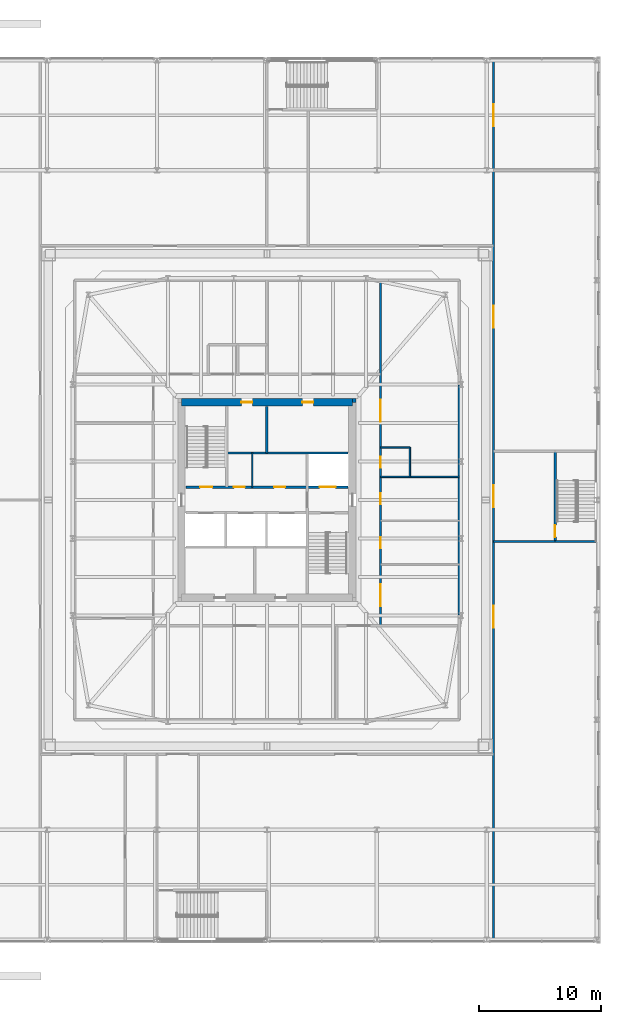
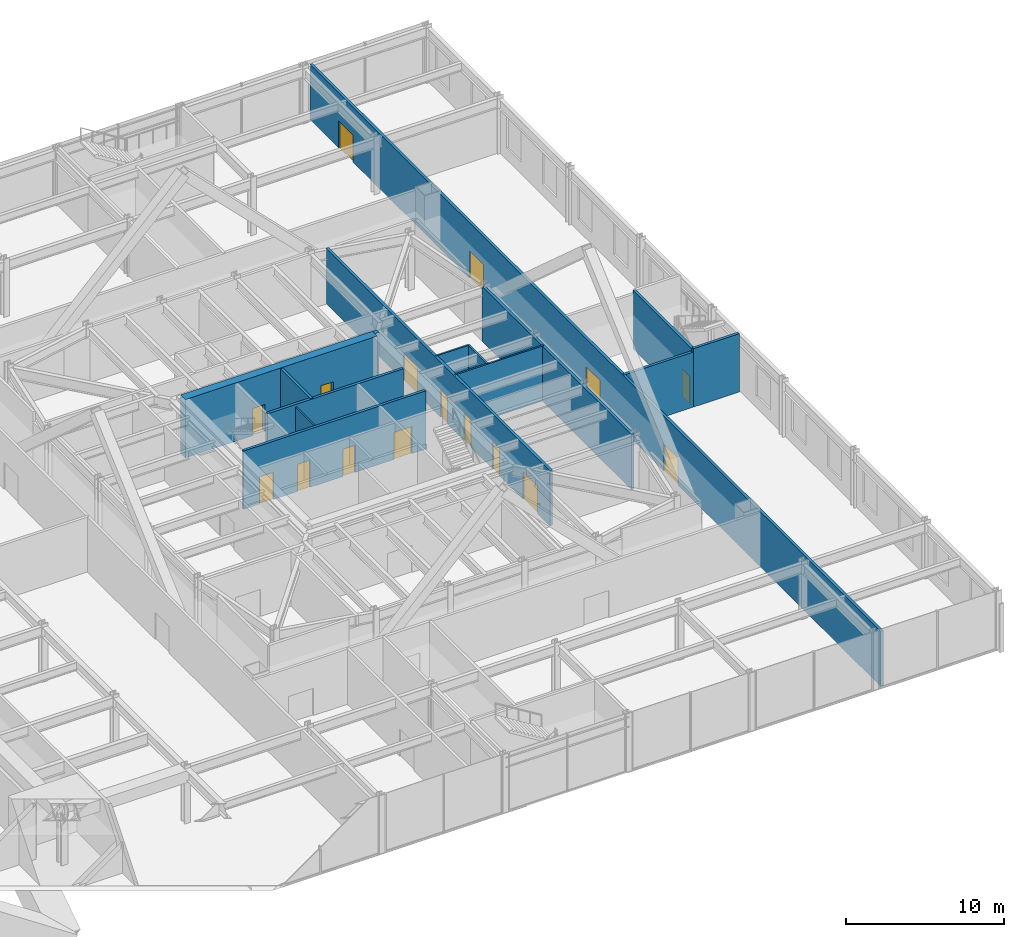
# One storey, part 26 of 32: 16 doors, 15 walls, 16 openings.
"""IFC4 building model written with IfcOpenShell, lengths in metres."""

import ifcopenshell
import ifcopenshell.guid

model = None  # the IFC model being written
_history = None  # IfcOwnerHistory: only IFC2X3 demands one
_inside = {}  # id of a spatial element -> (the spatial element, [elements in it])
_under = {}  # id of a project, library or spatial element -> (it, [spatial elements below it])
_declared = {}  # id of a project -> (the project, [libraries it declares])
_typed = {}  # id of a type object -> (the type object, [elements of that type])
_made_of = {}  # id of a material, layer set ... -> (it, [elements and type objects made of it])


def new_model(schema):
    """Start an empty IFC model of exactly this schema.

    Asked for "IFC4X3", IfcOpenShell would pick the latest addendum, in which some entities
    have other attributes; the version numbers below select the first issue.
    IFC2X3 requires an IfcOwnerHistory on every rooted entity: one is made here for all.
    """
    global model, _history
    if schema == "IFC4X3":
        model = ifcopenshell.file(schema_version=(4, 3, 0, 0))
    else:
        model = ifcopenshell.file(schema=schema)
    _inside.clear()
    _under.clear()
    _declared.clear()
    _typed.clear()
    _made_of.clear()
    _history = None
    if model.schema == "IFC2X3":
        org = make("IfcOrganization", Name="unknown")
        user = make(
            "IfcPersonAndOrganization",
            ThePerson=make("IfcPerson", FamilyName="unknown"),
            TheOrganization=org,
        )
        app = make(
            "IfcApplication",
            ApplicationDeveloper=org,
            Version="unknown",
            ApplicationFullName="unknown",
            ApplicationIdentifier="unknown",
        )
        _history = make(
            "IfcOwnerHistory",
            OwningUser=user,
            OwningApplication=app,
            ChangeAction="ADDED",
            CreationDate=0,
        )
    return model


def make(cls, **values):
    """One entity of the class cls with the attributes given. An attribute that is None is left unset."""
    return model.create_entity(
        cls, **{name: value for name, value in values.items() if value is not None}
    )


def rooted(cls, **values):
    """An entity with a GlobalId (a new one), such as an element, a storey or a relation."""
    return make(cls, GlobalId=ifcopenshell.guid.new(), OwnerHistory=_history, **values)


def si_unit(unit_type, name, prefix=None):
    """IfcSIUnit, for example si_unit("LENGTHUNIT", "METRE", prefix="MILLI")."""
    return make("IfcSIUnit", UnitType=unit_type, Prefix=prefix, Name=name)


def assignment(units):
    """IfcUnitAssignment: the units of a project."""
    return None if units is None else make("IfcUnitAssignment", Units=units)


def point(xyz):
    """IfcCartesianPoint."""
    return None if xyz is None else make("IfcCartesianPoint", Coordinates=xyz)


def direction(xyz):
    """IfcDirection."""
    return None if xyz is None else make("IfcDirection", DirectionRatios=xyz)


def frame(location, z_axis=None, x_axis=None):
    """IfcAxis2Placement3D, a coordinate frame: its origin and axes. An axis left out is left unset."""
    return make(
        "IfcAxis2Placement3D",
        Location=point(location),
        Axis=direction(z_axis),
        RefDirection=direction(x_axis),
    )


def frame_2d(location, x_axis=None):
    """IfcAxis2Placement2D, a coordinate frame in the plane: its origin and x axis."""
    return make(
        "IfcAxis2Placement2D", Location=point(location), RefDirection=direction(x_axis)
    )


def origin():
    """The frame at (0, 0, 0) with its axes left unset."""
    return frame((0.0, 0.0, 0.0))


def place(relative_to, where):
    """IfcLocalPlacement: puts the frame where relative to a parent placement (None: the world)."""
    return make(
        "IfcLocalPlacement", PlacementRelTo=relative_to, RelativePlacement=where
    )


def context(
    kind, dimensions, precision=None, world=None, true_north=None, identifier=None
):
    """IfcGeometricRepresentationContext, for example the 3D "Model" context."""
    return make(
        "IfcGeometricRepresentationContext",
        ContextIdentifier=identifier,
        ContextType=kind,
        CoordinateSpaceDimension=dimensions,
        Precision=precision,
        WorldCoordinateSystem=world,
        TrueNorth=true_north,
    )


def subcontext(parent, identifier, kind, view, scale=None):
    """IfcGeometricRepresentationSubContext, for example "Body" below "Model"."""
    return make(
        "IfcGeometricRepresentationSubContext",
        ContextIdentifier=identifier,
        ContextType=kind,
        ParentContext=parent,
        TargetScale=scale,
        TargetView=view,
    )


def project(units=None, contexts=None):
    """IfcProject with its units and contexts."""
    return rooted(
        "IfcProject",
        Name="project",
        RepresentationContexts=contexts,
        UnitsInContext=assignment(units),
    )


def spatial(cls, under=None, at=None, **own):
    """A site, building, storey or space (cls), placed at a placement, below another one or the project."""
    s = rooted(cls, ObjectPlacement=at, **own)
    if under is not None:
        _under.setdefault(under.id(), (under, []))[1].append(s)
    return s


def profile(cls, at=None, kind="AREA", **sizes):
    """A parametric profile (cls). Its sizes go by their IFC names, for example OverallWidth=200.0."""
    return make(cls, ProfileType=kind, Position=at, **sizes)


def rectangle(**sizes):
    """IfcRectangleProfileDef."""
    return profile("IfcRectangleProfileDef", **sizes)


def extrude(swept, where, along, depth):
    """IfcExtrudedAreaSolid: the profile swept, set in the frame where, extruded along a direction by depth."""
    return make(
        "IfcExtrudedAreaSolid",
        SweptArea=swept,
        Position=where,
        ExtrudedDirection=direction(along),
        Depth=depth,
    )


def shape(context_of_items, identifier, shape_type, items):
    """IfcShapeRepresentation: the items that make up one representation, for example the "Body"."""
    return make(
        "IfcShapeRepresentation",
        ContextOfItems=context_of_items,
        RepresentationIdentifier=identifier,
        RepresentationType=shape_type,
        Items=items,
    )


def material(Name=None, Category=None):
    """IfcMaterial."""
    return make("IfcMaterial", Name=Name, Category=Category)


def layer(
    of_material, thickness, ventilated=None, Name=None, Category=None, Priority=None
):
    """IfcMaterialLayer: one layer of a wall or slab, of a material (None: an air gap)."""
    return make(
        "IfcMaterialLayer",
        Material=of_material,
        LayerThickness=thickness,
        IsVentilated=ventilated,
        Name=Name,
        Category=Category,
        Priority=Priority,
    )


def layer_set(layers, Name=None):
    """IfcMaterialLayerSet."""
    return make("IfcMaterialLayerSet", MaterialLayers=layers, LayerSetName=Name)


def made_of(thing, what):
    """Note that an element or type object is made of a material, layer set ...; save() writes the relation."""
    if what is not None:
        _made_of.setdefault(what.id(), (what, []))[1].append(thing)
    return thing


def type_object(cls, material=None, **own):
    """A type object (cls), such as IfcWallType, which elements share."""
    return made_of(rooted(cls, **own), material)


def element(
    cls,
    number,
    at=None,
    inside=None,
    cuts=None,
    type_object=None,
    material=None,
    context=None,
    identifier="Body",
    shape_type=None,
    held_by="IfcProductDefinitionShape",
    body=None,
    shapes=None,
    **own,
):
    """One element of the class cls, such as IfcWall. Its Tag is "e" and its number.

    at: its placement. inside: the storey or other place that contains it. cuts: it is an
    opening in that element (IfcRelVoidsElement). A single representation is given by context,
    identifier, shape_type and body (its items); several are given by shapes. held_by: the class
    of the entity that holds the representations. save() writes the other relations.
    """
    e = rooted(cls, Tag="e%d" % number, ObjectPlacement=at, **own)
    if body is not None:
        shapes = [shape(context, identifier, shape_type, body)]
    if shapes is not None:
        e.Representation = make(held_by, Representations=shapes)
    if inside is not None:
        _inside.setdefault(inside.id(), (inside, []))[1].append(e)
    if cuts is not None:
        rooted(
            "IfcRelVoidsElement", RelatingBuildingElement=cuts, RelatedOpeningElement=e
        )
    if type_object is not None:
        _typed.setdefault(type_object.id(), (type_object, []))[1].append(e)
    return made_of(e, material)


def fill(opening, filler):
    """IfcRelFillsElement: the door or window that sits in an opening."""
    return rooted(
        "IfcRelFillsElement",
        RelatingOpeningElement=opening,
        RelatedBuildingElement=filler,
    )


def aggregate(whole, parts):
    """IfcRelAggregates: a whole, such as a stair, and the parts it consists of."""
    return rooted("IfcRelAggregates", RelatingObject=whole, RelatedObjects=parts)


def save(model, path):
    """Write the relations noted so far, then the file.

    IfcRelAggregates (storeys below a building ...), IfcRelContainedInSpatialStructure (elements
    in a storey), IfcRelDefinesByType, IfcRelAssociatesMaterial and IfcRelDeclares: one each for
    every whole, place, type object, material and project.
    """
    for whole, parts in _under.values():
        aggregate(whole, parts)
    for where, things in _inside.values():
        rooted(
            "IfcRelContainedInSpatialStructure",
            RelatedElements=things,
            RelatingStructure=where,
        )
    for kind, things in _typed.values():
        rooted("IfcRelDefinesByType", RelatedObjects=things, RelatingType=kind)
    for what, things in _made_of.values():
        rooted("IfcRelAssociatesMaterial", RelatedObjects=things, RelatingMaterial=what)
    for by, libraries in _declared.values():
        rooted("IfcRelDeclares", RelatingContext=by, RelatedDefinitions=libraries)
    model.write(path)


model = new_model("IFC4")

# Units and contexts
model_context = context("Model", 3, precision=1e-05, world=origin(), true_north=direction((0.0, 1.0)))
body_context = subcontext(model_context, "Body", "Model", "MODEL_VIEW")
ifc_project = project(units=[si_unit("LENGTHUNIT", "METRE"), si_unit("AREAUNIT", "SQUARE_METRE"), si_unit("VOLUMEUNIT", "CUBIC_METRE"), si_unit("PLANEANGLEUNIT", "RADIAN"), si_unit("MASSUNIT", "GRAM", prefix="KILO")], contexts=[model_context])

# Site, building, storey
site_placement = place(None, origin())
site = spatial("IfcSite", under=ifc_project, at=site_placement, CompositionType="ELEMENT")
building_placement = place(site_placement, origin())
building = spatial("IfcBuilding", under=site, at=building_placement, Name="Iwan Alto Co-Living Towers", CompositionType="ELEMENT")
storey_placement = place(building_placement, frame((0.0, 0.0, 6.0)))
storey = spatial("IfcBuildingStorey", under=building, at=storey_placement, Name="L01", CompositionType="ELEMENT", Elevation=6.0)

# Walls
ifc_material_1 = material(Name="Gypsum board")
ifc_layer_1 = layer(ifc_material_1, 0.012451171875, Name="Board", Category="Finish")
ifc_material_2 = material(Name="Steel ASTM A1003 ST33H cold-formed studs", Category="steel")
ifc_layer_2 = layer(ifc_material_2, 0.074951171875, Name="Studs", Category="Framing")
ifc_layer_3 = layer(ifc_material_1, 0.012451171875, Name="Board", Category="Finish")
ifc_layer_set_1 = layer_set([ifc_layer_1, ifc_layer_2, ifc_layer_3], Name="PARTITION 100")
wall_type_1 = type_object("IfcWallType", Name="PARTITION 100", PredefinedType="PARTITIONING", material=ifc_layer_set_1)
wall_1_placement = place(storey_placement, frame((61.800048828125, 1.050048828125, 0.0), z_axis=(0.0, 0.0, 1.0), x_axis=(0.0, 1.0, 0.0)))
element("IfcWall", 1, at=wall_1_placement, inside=storey, type_object=wall_type_1, Name="Partition L01", PredefinedType="PARTITIONING", context=body_context, shape_type="SweptSolid", body=[
    extrude(rectangle(XDim=2.800048828125, YDim=0.10009765625, at=frame_2d((1.39990234375, 0.0))), origin(), (0.0, 0.0, 1.0), 4.300048828125),
])
ifc_material_3 = material(Name="Concrete block masonry f*p 10 MPa", Category="masonry")
ifc_layer_4 = layer(ifc_material_3, 0.199951171875)
ifc_layer_set_2 = layer_set([ifc_layer_4], Name="PODIUM INTERNAL WALL 200")
wall_type_2 = type_object("IfcWallType", Name="PODIUM INTERNAL WALL 200", PredefinedType="SOLIDWALL", material=ifc_layer_set_2)
wall_2_placement = place(storey_placement, frame((81.550048828125, -3.39990234375, 0.0), z_axis=(0.0, 0.0, 1.0), x_axis=(1.0, 0.0, 0.0)))
element("IfcWall", 2, at=wall_2_placement, inside=storey, type_object=wall_type_2, Name="Partition L01", PredefinedType="SOLIDWALL", context=body_context, shape_type="SweptSolid", body=[
    extrude(rectangle(XDim=5.050048828125, YDim=0.199951171875, at=frame_2d((2.52490234375, 0.0))), origin(), (0.0, 0.0, 1.0), 4.25),
])

# Wall, openings, doors
wall_3_placement = place(storey_placement, frame((81.550048828125, -36.050048828125, 0.0), z_axis=(0.0, 0.0, 1.0), x_axis=(0.0, 1.0, 0.0)))
wall_3 = element("IfcWall", 3, at=wall_3_placement, inside=storey, type_object=wall_type_2, Name="Partition L01", PredefinedType="SOLIDWALL", context=body_context, shape_type="SweptSolid", body=[
    extrude(rectangle(XDim=72.10009765625, YDim=0.199951171875, at=frame_2d((36.050048828125, 0.0))), origin(), (0.0, 0.0, 1.0), 4.25),
])
opening_1_placement = place(wall_3_placement, frame((66.64990234375, 0.0, 0.0)))
opening_1 = element("IfcOpeningElement", 4, at=opening_1_placement, cuts=wall_3, Name="Opening D9", PredefinedType="OPENING", context=body_context, shape_type="SweptSolid", body=[
    extrude(rectangle(XDim=1.800048828125, YDim=2.10009765625, at=frame_2d((0.89990234375, 1.050048828125))), frame((0.0, 0.10986328125, 0.0), z_axis=(0.0, -1.0, 0.0), x_axis=(1.0, 0.0, 0.0)), (0.0, 0.0, 1.0), 0.219970703125),
])
opening_2_placement = place(wall_3_placement, frame((25.60009765625, 0.0, 0.0)))
opening_2 = element("IfcOpeningElement", 5, at=opening_2_placement, cuts=wall_3, Name="Opening D9", PredefinedType="OPENING", context=body_context, shape_type="SweptSolid", body=[
    extrude(rectangle(XDim=1.800048828125, YDim=2.10009765625, at=frame_2d((0.89990234375, 1.050048828125))), frame((0.0, 0.10986328125, 0.0), z_axis=(0.0, -1.0, 0.0), x_axis=(1.0, 0.0, 0.0)), (0.0, 0.0, 1.0), 0.219970703125),
])
opening_3_placement = place(wall_3_placement, frame((35.449951171875, 0.0, 0.0)))
opening_3 = element("IfcOpeningElement", 6, at=opening_3_placement, cuts=wall_3, Name="Opening D9", PredefinedType="OPENING", context=body_context, shape_type="SweptSolid", body=[
    extrude(rectangle(XDim=1.800048828125, YDim=2.10009765625, at=frame_2d((0.89990234375, 1.050048828125))), frame((0.0, 0.10986328125, 0.0), z_axis=(0.0, -1.0, 0.0), x_axis=(1.0, 0.0, 0.0)), (0.0, 0.0, 1.0), 0.219970703125),
])
opening_4_placement = place(wall_3_placement, frame((50.14990234375, 0.0, 0.0)))
opening_4 = element("IfcOpeningElement", 7, at=opening_4_placement, cuts=wall_3, Name="Opening D9", PredefinedType="OPENING", context=body_context, shape_type="SweptSolid", body=[
    extrude(rectangle(XDim=1.800048828125, YDim=2.10009765625, at=frame_2d((0.89990234375, 1.050048828125))), frame((0.0, 0.10986328125, 0.0), z_axis=(0.0, -1.0, 0.0), x_axis=(1.0, 0.0, 0.0)), (0.0, 0.0, 1.0), 0.219970703125),
])
ifc_material_4 = material(Name="Steel frame with timber leaf", Category="steel")
door_type_1 = type_object("IfcDoorType", Name="LOUNGE DOOR FD30S 1800X2100", OperationType="DOUBLE_DOOR_SINGLE_SWING", PredefinedType="DOOR", material=ifc_material_4)
door_1_placement = place(opening_1_placement, origin())
door_1 = element("IfcDoor", 8, at=door_1_placement, inside=storey, type_object=door_type_1, Name="Store door L01", OperationType="DOUBLE_DOOR_SINGLE_SWING", OverallHeight=2.10009765625, OverallWidth=1.800048828125, PredefinedType="DOOR", context=body_context, shape_type="SweptSolid", body=[
    extrude(rectangle(XDim=1.800048828125, YDim=2.10009765625, at=frame_2d((0.89990234375, 1.050048828125))), frame((0.0, 0.02490234375, 0.0), z_axis=(0.0, -1.0, 0.0), x_axis=(1.0, 0.0, 0.0)), (0.0, 0.0, 1.0), 0.050048828125),
])
fill(opening_1, door_1)
door_2_placement = place(opening_2_placement, frame((1.800048828125, 0.0, 0.0), z_axis=(0.0, 0.0, 1.0), x_axis=(-1.0, 0.0, 0.0)))
door_2 = element("IfcDoor", 9, at=door_2_placement, inside=storey, type_object=door_type_1, Name="Plant room door L01", OperationType="DOUBLE_DOOR_SINGLE_SWING", OverallHeight=2.10009765625, OverallWidth=1.800048828125, PredefinedType="DOOR", context=body_context, shape_type="SweptSolid", body=[
    extrude(rectangle(XDim=1.800048828125, YDim=2.10009765625, at=frame_2d((0.89990234375, 1.050048828125))), frame((0.0, 0.02490234375, 0.0), z_axis=(0.0, -1.0, 0.0), x_axis=(1.0, 0.0, 0.0)), (0.0, 0.0, 1.0), 0.050048828125),
])
fill(opening_2, door_2)
door_3_placement = place(opening_3_placement, frame((1.800048828125, 0.0, 0.0), z_axis=(0.0, 0.0, 1.0), x_axis=(-1.0, 0.0, 0.0)))
door_3 = element("IfcDoor", 10, at=door_3_placement, inside=storey, type_object=door_type_1, Name="Stair lobby door L01", OperationType="DOUBLE_DOOR_SINGLE_SWING", OverallHeight=2.10009765625, OverallWidth=1.800048828125, PredefinedType="DOOR", context=body_context, shape_type="SweptSolid", body=[
    extrude(rectangle(XDim=1.800048828125, YDim=2.10009765625, at=frame_2d((0.89990234375, 1.050048828125))), frame((0.0, 0.02490234375, 0.0), z_axis=(0.0, -1.0, 0.0), x_axis=(1.0, 0.0, 0.0)), (0.0, 0.0, 1.0), 0.050048828125),
])
fill(opening_3, door_3)
door_4_placement = place(opening_4_placement, frame((1.800048828125, 0.0, 0.0), z_axis=(0.0, 0.0, 1.0), x_axis=(-1.0, 0.0, 0.0)))
door_4 = element("IfcDoor", 11, at=door_4_placement, inside=storey, type_object=door_type_1, Name="Plant room door L01", OperationType="DOUBLE_DOOR_SINGLE_SWING", OverallHeight=2.10009765625, OverallWidth=1.800048828125, PredefinedType="DOOR", context=body_context, shape_type="SweptSolid", body=[
    extrude(rectangle(XDim=1.800048828125, YDim=2.10009765625, at=frame_2d((0.89990234375, 1.050048828125))), frame((0.0, 0.02490234375, 0.0), z_axis=(0.0, -1.0, 0.0), x_axis=(1.0, 0.0, 0.0)), (0.0, 0.0, 1.0), 0.050048828125),
])
fill(opening_4, door_4)

wall_4_placement = place(storey_placement, frame((72.300048828125, -10.300048828125, 0.0), z_axis=(0.0, 0.0, 1.0), x_axis=(0.0, 1.0, 0.0)))
wall_4 = element("IfcWall", 12, at=wall_4_placement, inside=storey, type_object=wall_type_2, Name="Partition L01", PredefinedType="SOLIDWALL", context=body_context, shape_type="SweptSolid", body=[
    extrude(rectangle(XDim=28.300048828125, YDim=0.199951171875, at=frame_2d((14.14990234375, 0.0))), origin(), (0.0, 0.0, 1.0), 4.25),
])
opening_5_placement = place(wall_4_placement, frame((1.60009765625, 0.0, 0.0)))
opening_5 = element("IfcOpeningElement", 13, at=opening_5_placement, cuts=wall_4, Name="Opening D9", PredefinedType="OPENING", context=body_context, shape_type="SweptSolid", body=[
    extrude(rectangle(XDim=1.800048828125, YDim=2.10009765625, at=frame_2d((0.89990234375, 1.050048828125))), frame((0.0, 0.10986328125, 0.0), z_axis=(0.0, -1.0, 0.0), x_axis=(1.0, 0.0, 0.0)), (0.0, 0.0, 1.0), 0.219970703125),
])
opening_6_placement = place(wall_4_placement, frame((6.35009765625, 0.0, 0.0)))
opening_6 = element("IfcOpeningElement", 14, at=opening_6_placement, cuts=wall_4, Name="Opening D4", PredefinedType="OPENING", context=body_context, shape_type="SweptSolid", body=[
    extrude(rectangle(XDim=0.89990234375, YDim=2.10009765625, at=frame_2d((0.449951171875, 1.050048828125))), frame((0.0, 0.10986328125, 0.0), z_axis=(0.0, -1.0, 0.0), x_axis=(1.0, 0.0, 0.0)), (0.0, 0.0, 1.0), 0.219970703125),
])
opening_7_placement = place(wall_4_placement, frame((9.949951171875, 0.0, 0.0)))
opening_7 = element("IfcOpeningElement", 15, at=opening_7_placement, cuts=wall_4, Name="Opening D4", PredefinedType="OPENING", context=body_context, shape_type="SweptSolid", body=[
    extrude(rectangle(XDim=0.89990234375, YDim=2.10009765625, at=frame_2d((0.449951171875, 1.050048828125))), frame((0.0, 0.10986328125, 0.0), z_axis=(0.0, -1.0, 0.0), x_axis=(1.0, 0.0, 0.0)), (0.0, 0.0, 1.0), 0.219970703125),
])
opening_8_placement = place(wall_4_placement, frame((12.949951171875, 0.0, 0.0)))
opening_8 = element("IfcOpeningElement", 16, at=opening_8_placement, cuts=wall_4, Name="Opening D4", PredefinedType="OPENING", context=body_context, shape_type="SweptSolid", body=[
    extrude(rectangle(XDim=0.89990234375, YDim=2.10009765625, at=frame_2d((0.449951171875, 1.050048828125))), frame((0.0, 0.10986328125, 0.0), z_axis=(0.0, -1.0, 0.0), x_axis=(1.0, 0.0, 0.0)), (0.0, 0.0, 1.0), 0.219970703125),
])
opening_9_placement = place(wall_4_placement, frame((16.699951171875, 0.0, 0.0)))
opening_9 = element("IfcOpeningElement", 17, at=opening_9_placement, cuts=wall_4, Name="Opening D9", PredefinedType="OPENING", context=body_context, shape_type="SweptSolid", body=[
    extrude(rectangle(XDim=1.800048828125, YDim=2.10009765625, at=frame_2d((0.89990234375, 1.050048828125))), frame((0.0, 0.10986328125, 0.0), z_axis=(0.0, -1.0, 0.0), x_axis=(1.0, 0.0, 0.0)), (0.0, 0.0, 1.0), 0.219970703125),
])
door_5_placement = place(opening_5_placement, frame((1.800048828125, 0.0, 0.0), z_axis=(0.0, 0.0, 1.0), x_axis=(-1.0, 0.0, 0.0)))
door_5 = element("IfcDoor", 18, at=door_5_placement, inside=storey, type_object=door_type_1, Name="Tea point door L01", OperationType="DOUBLE_DOOR_SINGLE_SWING", OverallHeight=2.10009765625, OverallWidth=1.800048828125, PredefinedType="DOOR", context=body_context, shape_type="SweptSolid", body=[
    extrude(rectangle(XDim=1.800048828125, YDim=2.10009765625, at=frame_2d((0.89990234375, 1.050048828125))), frame((0.0, 0.02490234375, 0.0), z_axis=(0.0, -1.0, 0.0), x_axis=(1.0, 0.0, 0.0)), (0.0, 0.0, 1.0), 0.050048828125),
])
fill(opening_5, door_5)
door_6_placement = place(opening_9_placement, frame((1.800048828125, 0.0, 0.0), z_axis=(0.0, 0.0, 1.0), x_axis=(-1.0, 0.0, 0.0)))
door_6 = element("IfcDoor", 19, at=door_6_placement, inside=storey, type_object=door_type_1, Name="Co-working zone door L01", OperationType="DOUBLE_DOOR_SINGLE_SWING", OverallHeight=2.10009765625, OverallWidth=1.800048828125, PredefinedType="DOOR", context=body_context, shape_type="SweptSolid", body=[
    extrude(rectangle(XDim=1.800048828125, YDim=2.10009765625, at=frame_2d((0.89990234375, 1.050048828125))), frame((0.0, 0.02490234375, 0.0), z_axis=(0.0, -1.0, 0.0), x_axis=(1.0, 0.0, 0.0)), (0.0, 0.0, 1.0), 0.050048828125),
])
fill(opening_9, door_6)
ifc_material_5 = material(Name="Timber leaf in steel frame", Category="steel")
door_type_2 = type_object("IfcDoorType", Name="WC DOOR 900X2100", OperationType="SINGLE_SWING_LEFT", PredefinedType="DOOR", material=ifc_material_5)
door_7_placement = place(opening_6_placement, frame((0.89990234375, 0.0, 0.0), z_axis=(0.0, 0.0, 1.0), x_axis=(-1.0, 0.0, 0.0)))
door_7 = element("IfcDoor", 20, at=door_7_placement, inside=storey, type_object=door_type_2, Name="Women's toilets door L01", OperationType="SINGLE_SWING_RIGHT", OverallHeight=2.10009765625, OverallWidth=0.89990234375, PredefinedType="DOOR", context=body_context, shape_type="SweptSolid", body=[
    extrude(rectangle(XDim=0.89990234375, YDim=2.10009765625, at=frame_2d((0.449951171875, 1.050048828125))), frame((0.0, 0.02490234375, 0.0), z_axis=(0.0, -1.0, 0.0), x_axis=(1.0, 0.0, 0.0)), (0.0, 0.0, 1.0), 0.050048828125),
])
fill(opening_6, door_7)
door_8_placement = place(opening_7_placement, frame((0.89990234375, 0.0, 0.0), z_axis=(0.0, 0.0, 1.0), x_axis=(-1.0, 0.0, 0.0)))
door_8 = element("IfcDoor", 21, at=door_8_placement, inside=storey, type_object=door_type_2, Name="Men's toilets door L01", OperationType="SINGLE_SWING_RIGHT", OverallHeight=2.10009765625, OverallWidth=0.89990234375, PredefinedType="DOOR", context=body_context, shape_type="SweptSolid", body=[
    extrude(rectangle(XDim=0.89990234375, YDim=2.10009765625, at=frame_2d((0.449951171875, 1.050048828125))), frame((0.0, 0.02490234375, 0.0), z_axis=(0.0, -1.0, 0.0), x_axis=(1.0, 0.0, 0.0)), (0.0, 0.0, 1.0), 0.050048828125),
])
fill(opening_7, door_8)
door_9_placement = place(opening_8_placement, frame((0.89990234375, 0.0, 0.0), z_axis=(0.0, 0.0, 1.0), x_axis=(-1.0, 0.0, 0.0)))
door_9 = element("IfcDoor", 22, at=door_9_placement, inside=storey, type_object=door_type_2, Name="Accessible WC door L01", OperationType="SINGLE_SWING_RIGHT", OverallHeight=2.10009765625, OverallWidth=0.89990234375, PredefinedType="DOOR", context=body_context, shape_type="SweptSolid", body=[
    extrude(rectangle(XDim=0.89990234375, YDim=2.10009765625, at=frame_2d((0.449951171875, 1.050048828125))), frame((0.0, 0.02490234375, 0.0), z_axis=(0.0, -1.0, 0.0), x_axis=(1.0, 0.0, 0.0)), (0.0, 0.0, 1.0), 0.050048828125),
])
fill(opening_8, door_9)

# Walls
wall_5_placement = place(storey_placement, frame((78.75, -9.427001953125, 0.0), z_axis=(0.0, 0.0, 1.0), x_axis=(0.0, 1.0, 0.0)))
element("IfcWall", 23, at=wall_5_placement, inside=storey, type_object=wall_type_2, Name="Partition L01", PredefinedType="SOLIDWALL", context=body_context, shape_type="SweptSolid", body=[
    extrude(rectangle(XDim=18.85400390625, YDim=0.199951171875, at=frame_2d((9.427001953125, 0.0))), origin(), (0.0, 0.0, 1.0), 4.25),
])
ifc_material_6 = material(Name="Concrete f'c 70 MPa", Category="concrete")
ifc_layer_5 = layer(ifc_material_6, 0.199951171875)
ifc_layer_set_3 = layer_set([ifc_layer_5], Name="SHAFT WALL 200")
wall_type_3 = type_object("IfcWallType", Name="SHAFT WALL 200", PredefinedType="SOLIDWALL", material=ifc_layer_set_3)
wall_6_placement = place(storey_placement, frame((86.60009765625, -3.39990234375, 0.0), z_axis=(0.0, 0.0, 1.0), x_axis=(1.0, 0.0, 0.0)))
element("IfcWall", 24, at=wall_6_placement, inside=storey, type_object=wall_type_3, Name="Shaft wall L01", PredefinedType="SOLIDWALL", context=body_context, shape_type="SweptSolid", body=[
    extrude(rectangle(XDim=3.33984375, YDim=0.199951171875, at=frame_2d((1.669921875, 0.0))), origin(), (0.0, 0.0, 1.0), 4.5),
])

# Wall, openings, doors
wall_7_placement = place(storey_placement, frame((56.360107421875, 1.050048828125, 0.0), z_axis=(0.0, 0.0, 1.0), x_axis=(1.0, 0.0, 0.0)))
wall_7 = element("IfcWall", 25, at=wall_7_placement, inside=storey, type_object=wall_type_3, Name="Shaft wall L01", PredefinedType="SOLIDWALL", context=body_context, shape_type="SweptSolid", body=[
    extrude(rectangle(XDim=13.27978515625, YDim=0.199951171875, at=frame_2d((6.639892578125, 0.0))), origin(), (0.0, 0.0, 1.0), 4.5),
])
opening_10_placement = place(wall_7_placement, frame((1.169921875, 0.0, 0.0)))
opening_10 = element("IfcOpeningElement", 26, at=opening_10_placement, cuts=wall_7, Name="Opening D5", PredefinedType="OPENING", context=body_context, shape_type="SweptSolid", body=[
    extrude(rectangle(XDim=1.0, YDim=2.10009765625, at=frame_2d((0.5, 1.050048828125))), frame((0.0, 0.10986328125, 0.0), z_axis=(0.0, -1.0, 0.0), x_axis=(1.0, 0.0, 0.0)), (0.0, 0.0, 1.0), 0.219970703125),
])
opening_11_placement = place(wall_7_placement, frame((7.239990234375, 0.0, 0.0)))
opening_11 = element("IfcOpeningElement", 27, at=opening_11_placement, cuts=wall_7, Name="Opening D8", PredefinedType="OPENING", context=body_context, shape_type="SweptSolid", body=[
    extrude(rectangle(XDim=0.89990234375, YDim=2.10009765625, at=frame_2d((0.449951171875, 1.050048828125))), frame((0.0, 0.10986328125, 0.0), z_axis=(0.0, -1.0, 0.0), x_axis=(1.0, 0.0, 0.0)), (0.0, 0.0, 1.0), 0.219970703125),
])
opening_12_placement = place(wall_7_placement, frame((3.93994140625, 0.0, 0.0)))
opening_12 = element("IfcOpeningElement", 28, at=opening_12_placement, cuts=wall_7, Name="Opening D15", PredefinedType="OPENING", context=body_context, shape_type="SweptSolid", body=[
    extrude(rectangle(XDim=0.89990234375, YDim=2.10009765625, at=frame_2d((0.449951171875, 1.050048828125))), frame((0.0, 0.10986328125, 0.0), z_axis=(0.0, -1.0, 0.0), x_axis=(1.0, 0.0, 0.0)), (0.0, 0.0, 1.0), 0.219970703125),
])
opening_13_placement = place(wall_7_placement, frame((10.9599609375, 0.0, 0.0)))
opening_13 = element("IfcOpeningElement", 29, at=opening_13_placement, cuts=wall_7, Name="Opening LD2", PredefinedType="OPENING", context=body_context, shape_type="SweptSolid", body=[
    extrude(rectangle(XDim=1.300048828125, YDim=2.10009765625, at=frame_2d((0.64990234375, 1.050048828125))), frame((0.0, 0.10986328125, 0.0), z_axis=(0.0, -1.0, 0.0), x_axis=(1.0, 0.0, 0.0)), (0.0, 0.0, 1.0), 0.219970703125),
])
ifc_material_7 = material(Name="Steel frame with timber leaf", Category="steel")
door_type_3 = type_object("IfcDoorType", Name="CORE ROOM DOOR FD60S 900X2100", OperationType="SINGLE_SWING_LEFT", PredefinedType="DOOR", material=ifc_material_7)
door_10_placement = place(opening_12_placement, origin())
door_10 = element("IfcDoor", 30, at=door_10_placement, inside=storey, type_object=door_type_3, Name="Sprinkler valve room door L01", OperationType="SINGLE_SWING_LEFT", OverallHeight=2.10009765625, OverallWidth=0.89990234375, PredefinedType="DOOR", context=body_context, shape_type="SweptSolid", body=[
    extrude(rectangle(XDim=0.89990234375, YDim=2.10009765625, at=frame_2d((0.449951171875, 1.050048828125))), frame((0.0, 0.02490234375, 0.0), z_axis=(0.0, -1.0, 0.0), x_axis=(1.0, 0.0, 0.0)), (0.0, 0.0, 1.0), 0.050048828125),
])
fill(opening_12, door_10)
ifc_material_8 = material(Name="Steel frame with timber leaf", Category="steel")
door_type_4 = type_object("IfcDoorType", Name="LIFT LANDING DOOR 1300X2100", OperationType="SLIDING_TO_LEFT", PredefinedType="DOOR", material=ifc_material_8)
door_11_placement = place(opening_13_placement, origin())
door_11 = element("IfcDoor", 31, at=door_11_placement, inside=storey, type_object=door_type_4, Name="Lift FL2 landing door L01", OperationType="SLIDING_TO_LEFT", OverallHeight=2.10009765625, OverallWidth=1.300048828125, PredefinedType="DOOR", context=body_context, shape_type="SweptSolid", body=[
    extrude(rectangle(XDim=1.300048828125, YDim=2.10009765625, at=frame_2d((0.64990234375, 1.050048828125))), frame((0.0, 0.02490234375, 0.0), z_axis=(0.0, -1.0, 0.0), x_axis=(1.0, 0.0, 0.0)), (0.0, 0.0, 1.0), 0.050048828125),
])
fill(opening_13, door_11)
ifc_material_9 = material(Name="Steel frame with timber leaf", Category="steel")
door_type_5 = type_object("IfcDoorType", Name="RISER DOOR FD120 900X2100", OperationType="SINGLE_SWING_LEFT", PredefinedType="DOOR", material=ifc_material_9)
door_12_placement = place(opening_11_placement, origin())
door_12 = element("IfcDoor", 32, at=door_12_placement, inside=storey, type_object=door_type_5, Name="Riser room door L01", OperationType="SINGLE_SWING_LEFT", OverallHeight=2.10009765625, OverallWidth=0.89990234375, PredefinedType="DOOR", context=body_context, shape_type="SweptSolid", body=[
    extrude(rectangle(XDim=0.89990234375, YDim=2.10009765625, at=frame_2d((0.449951171875, 1.050048828125))), frame((0.0, 0.02490234375, 0.0), z_axis=(0.0, -1.0, 0.0), x_axis=(1.0, 0.0, 0.0)), (0.0, 0.0, 1.0), 0.050048828125),
])
fill(opening_11, door_12)
ifc_material_10 = material(Name="Steel frame with timber leaf", Category="steel")
door_type_6 = type_object("IfcDoorType", Name="STAIR DOOR FD120S 1000X2100", OperationType="SINGLE_SWING_LEFT", PredefinedType="DOOR", material=ifc_material_10)
door_13_placement = place(opening_10_placement, origin())
door_13 = element("IfcDoor", 33, at=door_13_placement, inside=storey, type_object=door_type_6, Name="Stair S1 door L01", OperationType="SINGLE_SWING_RIGHT", OverallHeight=2.10009765625, OverallWidth=1.0, PredefinedType="DOOR", context=body_context, shape_type="SweptSolid", body=[
    extrude(rectangle(XDim=1.0, YDim=2.10009765625, at=frame_2d((0.5, 1.050048828125))), frame((0.0, 0.02490234375, 0.0), z_axis=(0.0, -1.0, 0.0), x_axis=(1.0, 0.0, 0.0)), (0.0, 0.0, 1.0), 0.050048828125),
])
fill(opening_10, door_13)

# Wall
wall_8_placement = place(storey_placement, frame((59.699951171875, 3.85009765625, 0.0), z_axis=(0.0, 0.0, 1.0), x_axis=(1.0, 0.0, 0.0)))
element("IfcWall", 34, at=wall_8_placement, inside=storey, type_object=wall_type_3, Name="Shaft wall L01", PredefinedType="SOLIDWALL", context=body_context, shape_type="SweptSolid", body=[
    extrude(rectangle(XDim=9.93994140625, YDim=0.199951171875, at=frame_2d((4.969970703125, 0.0))), origin(), (0.0, 0.0, 1.0), 4.5),
])

# Wall, opening, door
wall_9_placement = place(storey_placement, frame((86.60009765625, -3.39990234375, 0.0), z_axis=(0.0, 0.0, 1.0), x_axis=(0.0, 1.0, 0.0)))
wall_9 = element("IfcWall", 35, at=wall_9_placement, inside=storey, type_object=wall_type_3, Name="Shaft wall L01", PredefinedType="SOLIDWALL", context=body_context, shape_type="SweptSolid", body=[
    extrude(rectangle(XDim=7.39990234375, YDim=0.199951171875, at=frame_2d((3.699951171875, 0.0))), origin(), (0.0, 0.0, 1.0), 4.5),
])
opening_14_placement = place(wall_9_placement, frame((0.35009765625, 0.0, 0.0)))
opening_14 = element("IfcOpeningElement", 36, at=opening_14_placement, cuts=wall_9, Name="Opening D5", PredefinedType="OPENING", context=body_context, shape_type="SweptSolid", body=[
    extrude(rectangle(XDim=1.0, YDim=2.10009765625, at=frame_2d((0.5, 1.050048828125))), frame((0.0, 0.10986328125, 0.0), z_axis=(0.0, -1.0, 0.0), x_axis=(1.0, 0.0, 0.0)), (0.0, 0.0, 1.0), 0.219970703125),
])
door_14_placement = place(opening_14_placement, frame((1.0, 0.0, 0.0), z_axis=(0.0, 0.0, 1.0), x_axis=(-1.0, 0.0, 0.0)))
door_14 = element("IfcDoor", 37, at=door_14_placement, inside=storey, type_object=door_type_6, Name="Stair PS2 door L01", OperationType="SINGLE_SWING_RIGHT", OverallHeight=2.10009765625, OverallWidth=1.0, PredefinedType="DOOR", context=body_context, shape_type="SweptSolid", body=[
    extrude(rectangle(XDim=1.0, YDim=2.10009765625, at=frame_2d((0.5, 1.050048828125))), frame((0.0, 0.02490234375, 0.0), z_axis=(0.0, -1.0, 0.0), x_axis=(1.0, 0.0, 0.0)), (0.0, 0.0, 1.0), 0.050048828125),
])
fill(opening_14, door_14)

# Walls
wall_10_placement = place(storey_placement, frame((63.0, 3.85009765625, 0.0), z_axis=(0.0, 0.0, 1.0), x_axis=(0.0, 1.0, 0.0)))
element("IfcWall", 38, at=wall_10_placement, inside=storey, type_object=wall_type_3, Name="Shaft wall L01", PredefinedType="SOLIDWALL", context=body_context, shape_type="SweptSolid", body=[
    extrude(rectangle(XDim=3.789794921875, YDim=0.199951171875, at=frame_2d((1.89501953125, 0.0))), origin(), (0.0, 0.0, 1.0), 4.5),
])
ifc_material_11 = material(Name="Concrete f'c 70 MPa", Category="concrete")
ifc_layer_6 = layer(ifc_material_11, 0.300048828125)
ifc_layer_set_4 = layer_set([ifc_layer_6], Name="T2 CORE CORNER FILL 300")
wall_type_4 = type_object("IfcWallType", Name="T2 CORE CORNER FILL 300", PredefinedType="SOLIDWALL", material=ifc_layer_set_4)
wall_11_placement = place(storey_placement, frame((70.0, 8.14990234375, 0.0), z_axis=(0.0, 0.0, 1.0), x_axis=(1.0, 0.0, 0.0)))
element("IfcWall", 39, at=wall_11_placement, inside=storey, type_object=wall_type_4, Name="T2 core corner NE L01", PredefinedType="SOLIDWALL", context=body_context, shape_type="SweptSolid", body=[
    extrude(rectangle(XDim=0.300048828125, YDim=0.300048828125, at=frame_2d((0.14990234375, 0.0))), origin(), (0.0, 0.0, 1.0), 4.5),
])

# Wall, openings, doors
ifc_material_12 = material(Name="Concrete f'c 70 MPa", Category="concrete")
ifc_layer_7 = layer(ifc_material_12, 0.60009765625)
ifc_layer_set_5 = layer_set([ifc_layer_7], Name="T2 CORE WALL 600")
wall_type_5 = type_object("IfcWallType", Name="T2 CORE WALL 600", PredefinedType="SHEAR", material=ifc_layer_set_5)
wall_12_placement = place(storey_placement, frame((70.0, 8.0, 0.0), z_axis=(0.0, 0.0, 1.0), x_axis=(-1.0, 0.0, 0.0)))
wall_12 = element("IfcWall", 40, at=wall_12_placement, inside=storey, type_object=wall_type_5, Name="T2 core wall N L01", PredefinedType="SHEAR", context=body_context, shape_type="SweptSolid", body=[
    extrude(rectangle(XDim=14.0, YDim=0.60009765625, at=frame_2d((7.0, 0.0))), origin(), (0.0, 0.0, 1.0), 4.5),
])
opening_15_placement = place(wall_12_placement, frame((8.199951171875, 0.0, 0.0)))
opening_15 = element("IfcOpeningElement", 41, at=opening_15_placement, cuts=wall_12, Name="Opening D8", PredefinedType="OPENING", context=body_context, shape_type="SweptSolid", body=[
    extrude(rectangle(XDim=0.89990234375, YDim=2.10009765625, at=frame_2d((0.449951171875, 1.050048828125))), frame((0.0, 0.31005859375, 0.0), z_axis=(0.0, -1.0, 0.0), x_axis=(1.0, 0.0, 0.0)), (0.0, 0.0, 1.0), 0.6201171875),
])
opening_16_placement = place(wall_12_placement, frame((3.199951171875, 0.0, 0.0)))
opening_16 = element("IfcOpeningElement", 42, at=opening_16_placement, cuts=wall_12, Name="Opening D8", PredefinedType="OPENING", context=body_context, shape_type="SweptSolid", body=[
    extrude(rectangle(XDim=0.89990234375, YDim=2.10009765625, at=frame_2d((0.449951171875, 1.050048828125))), frame((0.0, 0.31005859375, 0.0), z_axis=(0.0, -1.0, 0.0), x_axis=(1.0, 0.0, 0.0)), (0.0, 0.0, 1.0), 0.6201171875),
])
door_15_placement = place(opening_15_placement, origin())
door_15 = element("IfcDoor", 43, at=door_15_placement, inside=storey, type_object=door_type_5, Name="Electrical riser core door L01", OperationType="SINGLE_SWING_RIGHT", OverallHeight=2.10009765625, OverallWidth=0.89990234375, PredefinedType="DOOR", context=body_context, shape_type="SweptSolid", body=[
    extrude(rectangle(XDim=0.89990234375, YDim=2.10009765625, at=frame_2d((0.449951171875, 1.050048828125))), frame((0.0, 0.02490234375, 0.0), z_axis=(0.0, -1.0, 0.0), x_axis=(1.0, 0.0, 0.0)), (0.0, 0.0, 1.0), 0.050048828125),
])
fill(opening_15, door_15)
door_16_placement = place(opening_16_placement, origin())
door_16 = element("IfcDoor", 44, at=door_16_placement, inside=storey, type_object=door_type_5, Name="Water and drainage riser core door L01", OperationType="SINGLE_SWING_RIGHT", OverallHeight=2.10009765625, OverallWidth=0.89990234375, PredefinedType="DOOR", context=body_context, shape_type="SweptSolid", body=[
    extrude(rectangle(XDim=0.89990234375, YDim=2.10009765625, at=frame_2d((0.449951171875, 1.050048828125))), frame((0.0, 0.02490234375, 0.0), z_axis=(0.0, -1.0, 0.0), x_axis=(1.0, 0.0, 0.0)), (0.0, 0.0, 1.0), 0.050048828125),
])
fill(opening_16, door_16)

# Walls
ifc_material_13 = material(Name="Cement board")
ifc_layer_8 = layer(ifc_material_13, 0.012451171875, Name="Board", Category="Finish")
ifc_layer_9 = layer(ifc_material_2, 0.094970703125, Name="Studs", Category="Framing")
ifc_layer_10 = layer(ifc_material_13, 0.012451171875, Name="Board", Category="Finish")
ifc_layer_set_6 = layer_set([ifc_layer_8, ifc_layer_9, ifc_layer_10], Name="WET AREA PARTITION 120")
wall_type_6 = type_object("IfcWallType", Name="WET AREA PARTITION 120", PredefinedType="PARTITIONING", material=ifc_layer_set_6)
wall_13_placement = place(storey_placement, frame((72.300048828125, 1.89990234375, 0.0), z_axis=(0.0, 0.0, 1.0), x_axis=(1.0, 0.0, 0.0)))
element("IfcWall", 45, at=wall_13_placement, inside=storey, type_object=wall_type_6, Name="Partition L01", PredefinedType="PARTITIONING", context=body_context, shape_type="SweptSolid", body=[
    extrude(rectangle(XDim=6.449951171875, YDim=0.1201171875, at=frame_2d((3.22509765625, 0.0))), origin(), (0.0, 0.0, 1.0), 4.25),
])
wall_14_placement = place(storey_placement, frame((72.300048828125, 4.300048828125, 0.0), z_axis=(0.0, 0.0, 1.0), x_axis=(1.0, 0.0, 0.0)))
element("IfcWall", 46, at=wall_14_placement, inside=storey, type_object=wall_type_6, Name="Partition L01", PredefinedType="PARTITIONING", context=body_context, shape_type="SweptSolid", body=[
    extrude(rectangle(XDim=2.39990234375, YDim=0.1201171875, at=frame_2d((1.199951171875, 0.0))), origin(), (0.0, 0.0, 1.0), 4.25),
])
wall_15_placement = place(storey_placement, frame((74.699951171875, 1.89990234375, 0.0), z_axis=(0.0, 0.0, 1.0), x_axis=(0.0, 1.0, 0.0)))
element("IfcWall", 47, at=wall_15_placement, inside=storey, type_object=wall_type_6, Name="Partition L01", PredefinedType="PARTITIONING", context=body_context, shape_type="SweptSolid", body=[
    extrude(rectangle(XDim=2.400146484375, YDim=0.1201171875, at=frame_2d((1.2001953125, 0.0))), origin(), (0.0, 0.0, 1.0), 4.25),
])

save(model, "model.ifc")
